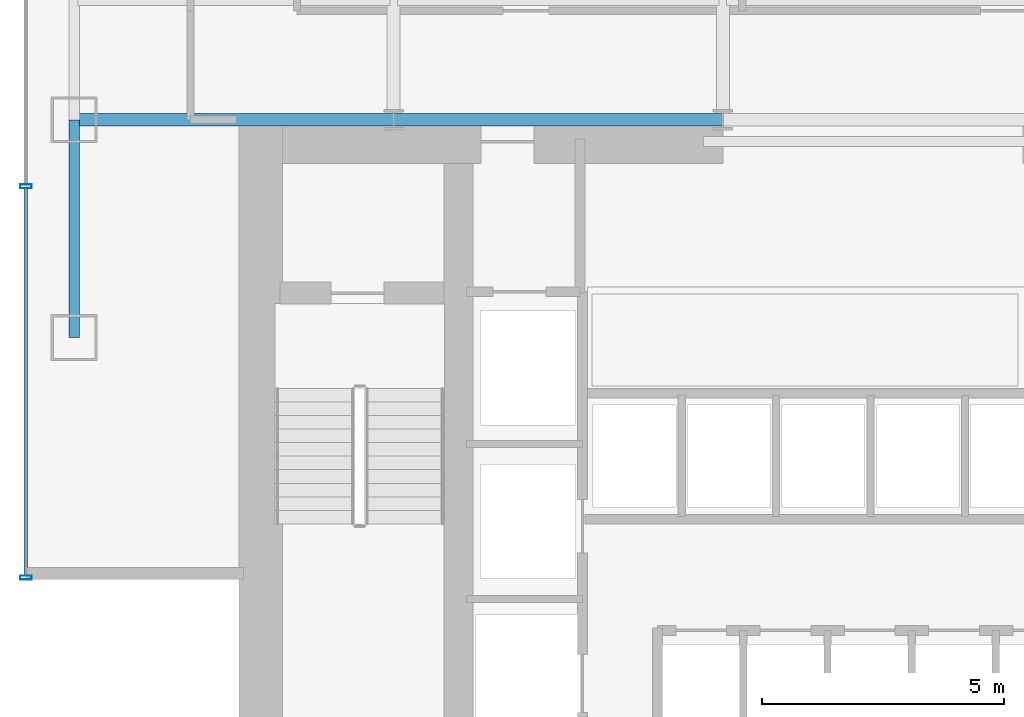
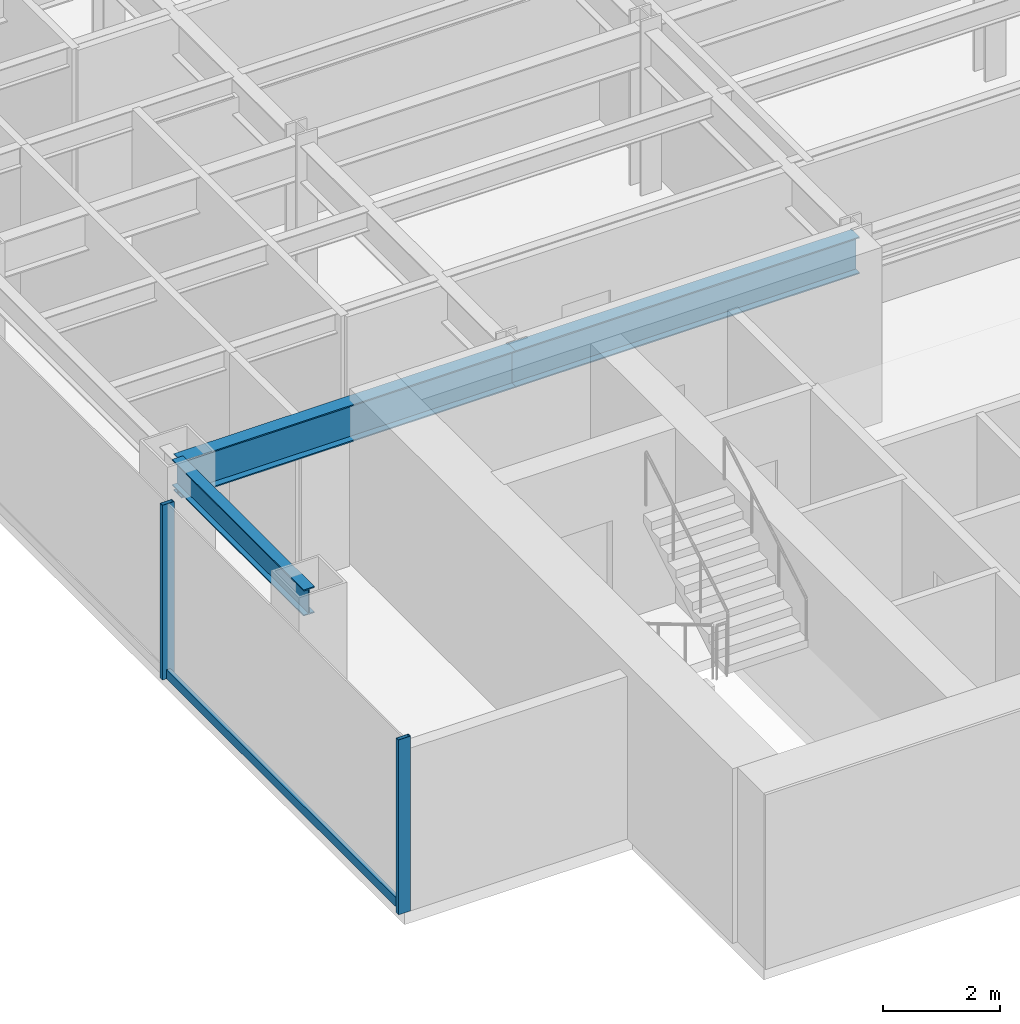
# One storey, part 2 of 22: 3 beams, 3 members, 1 element without a shape of its own.
"""IFC4 building model written with IfcOpenShell, lengths in metres."""

from ifc_helpers import new_model, si_unit, derived_unit, direction, frame, origin, origin_2d, place, context, subcontext, project, spatial, hollow_rectangle, i_section, extrude, source, transform, mapped, material, material_profile, profile_set, type_object, element, aggregate, save


model = new_model("IFC4")

# Units and contexts
model_context = context("Model", 3, precision=1e-05, world=origin(), true_north=direction((0.0, 1.0)))
body_context = subcontext(model_context, "Body", "Model", "MODEL_VIEW")
ifc_project = project(units=[si_unit("LENGTHUNIT", "METRE"), si_unit("AREAUNIT", "SQUARE_METRE"), si_unit("VOLUMEUNIT", "CUBIC_METRE"), si_unit("PLANEANGLEUNIT", "RADIAN"), si_unit("MASSUNIT", "GRAM", prefix="KILO"), derived_unit("THERMALTRANSMITTANCEUNIT", [(si_unit("POWERUNIT", "WATT"), 1), (si_unit("LENGTHUNIT", "METRE"), -2), (si_unit("THERMODYNAMICTEMPERATUREUNIT", "KELVIN"), -1)])], contexts=[model_context])

# Site, building, storey
site_placement = place(None, origin())
site = spatial("IfcSite", under=ifc_project, at=site_placement, CompositionType="ELEMENT")
building_placement = place(site_placement, origin())
building = spatial("IfcBuilding", under=site, at=building_placement, Name="Skarnbrae Concourse Arena and Tower", CompositionType="ELEMENT")
storey_placement = place(building_placement, frame((0.0, 0.0, 32.5)))
storey = spatial("IfcBuildingStorey", under=building, at=storey_placement, Name="L06", CompositionType="ELEMENT", Elevation=32.5)

# Beams
ifc_material_1 = material(Name="Steel CSA G40.21 350W", Category="steel")
ifc_material_profile_1 = material_profile(ifc_material_1, i_section(OverallWidth=0.26806640625, OverallDepth=0.77001953125, WebThickness=0.015625, FlangeThickness=0.025390625, at=origin_2d()), Name="W760X196")
ifc_profile_set_1 = profile_set([ifc_material_profile_1], Name="Steel CSA G40.21 350W")
beam_type_1 = type_object("IfcBeamType", Name="BM-GIRD-W760X196", PredefinedType="BEAM", material=ifc_profile_set_1)
shared_shape_1 = source(origin(), body_context, "Body", "SweptSolid", [
    extrude(i_section(OverallWidth=0.26806640625, OverallDepth=0.77001953125, WebThickness=0.015625, FlangeThickness=0.025390625, at=origin_2d()), origin(), (0.0, 0.0, 1.0), 6.60009765625),
])
beam_1_placement = place(storey_placement, frame((1.0, 14.0, 3.014892578125), z_axis=(1.0, 0.0, 0.0), x_axis=(0.0, 1.0, 0.0)))
element("IfcBeam", 1, at=beam_1_placement, inside=storey, type_object=beam_type_1, Name="L06 Primary E-W girder Y14.0-1", PredefinedType="BEAM", context=body_context, shape_type="MappedRepresentation", body=[
    mapped(shared_shape_1, transform((0.0, 0.0, 0.0))),
])
shared_shape_2 = source(origin(), body_context, "Body", "SweptSolid", [
    extrude(i_section(OverallWidth=0.26806640625, OverallDepth=0.77001953125, WebThickness=0.015625, FlangeThickness=0.025390625, at=origin_2d()), origin(), (0.0, 0.0, 1.0), 6.7998046875),
])
beam_2_placement = place(storey_placement, frame((7.60009765625, 14.0, 3.014892578125), z_axis=(1.0, 0.0, 0.0), x_axis=(0.0, 1.0, 0.0)))
element("IfcBeam", 2, at=beam_2_placement, inside=storey, type_object=beam_type_1, Name="L06 Primary E-W girder Y14.0-2", PredefinedType="BEAM", context=body_context, shape_type="MappedRepresentation", body=[
    mapped(shared_shape_2, transform((0.0, 0.0, 0.0))),
])
ifc_material_profile_2 = material_profile(ifc_material_1, i_section(OverallWidth=0.214111328125, OverallDepth=0.549072265625, WebThickness=0.0146484375, FlangeThickness=0.023681640625, at=origin_2d()), Name="W530X138")
ifc_profile_set_2 = profile_set([ifc_material_profile_2], Name="Steel CSA G40.21 350W")
beam_type_2 = type_object("IfcBeamType", Name="BM-SPAN-W530X138", PredefinedType="SPANDREL", material=ifc_profile_set_2)
shared_shape_3 = source(origin(), body_context, "Body", "SweptSolid", [
    extrude(i_section(OverallWidth=0.214111328125, OverallDepth=0.549072265625, WebThickness=0.0146484375, FlangeThickness=0.023681640625, at=origin_2d()), origin(), (0.0, 0.0, 1.0), 4.5),
])
beam_3_placement = place(storey_placement, frame((1.0, 9.5, 3.12548828125), z_axis=(0.0, 1.0, 0.0), x_axis=(-1.0, 0.0, 0.0)))
element("IfcBeam", 3, at=beam_3_placement, inside=storey, type_object=beam_type_2, Name="L06 Perimeter spandrel X1.0-1", PredefinedType="SPANDREL", context=body_context, shape_type="MappedRepresentation", body=[
    mapped(shared_shape_3, transform((0.0, 0.0, 0.0))),
])

# Curtain wall, members
ifc_material_2 = material(Name="Bronze anodised aluminium 6063-T6", Category="aluminium")
curtain_wall_type = type_object("IfcCurtainWallType", Name="CW-SYS-02-LOWZONE", PredefinedType="USERDEFINED", material=ifc_material_2)
curtain_wall_placement = place(storey_placement, origin())
curtain_wall = element("IfcCurtainWall", 4, at=curtain_wall_placement, inside=storey, type_object=curtain_wall_type, Name="L06 Unitised curtain wall CW-L06-E19", ObjectType="UNITISED CURTAIN WALL", PredefinedType="USERDEFINED")
ifc_material_profile_3 = material_profile(ifc_material_2, hollow_rectangle(XDim=0.080078125, YDim=0.239990234375, WallThickness=0.0048828125, at=origin_2d()), Name="ALU-MULL-80X240")
ifc_profile_set_3 = profile_set([ifc_material_profile_3], Name="Bronze anodised aluminium 6063-T6")
member_type_1 = type_object("IfcMemberType", Name="CWM-CW-02", PredefinedType="MULLION", material=ifc_profile_set_3)
shared_shape_4 = source(origin(), body_context, "Body", "SweptSolid", [
    extrude(hollow_rectangle(XDim=0.080078125, YDim=0.239990234375, WallThickness=0.0048828125, at=origin_2d()), origin(), (0.0, 0.0, 1.0), 3.64990234375),
])
member_1_placement = place(storey_placement, frame((0.0, 12.625, 0.0), z_axis=(0.0, 0.0, 1.0), x_axis=(0.0, -1.0, 0.0)))
member_1 = element("IfcMember", 5, at=member_1_placement, type_object=member_type_1, Name="CW-L06-E19 Mullion 4", PredefinedType="MULLION", context=body_context, shape_type="MappedRepresentation", body=[
    mapped(shared_shape_4, transform((0.0, 0.0, 0.0))),
])
member_2_placement = place(storey_placement, frame((0.0, 4.5400390625, 0.0), z_axis=(0.0, 0.0, 1.0), x_axis=(0.0, -1.0, 0.0)))
member_2 = element("IfcMember", 6, at=member_2_placement, type_object=member_type_1, Name="CW-L06-E19 Mullion 5", PredefinedType="MULLION", context=body_context, shape_type="MappedRepresentation", body=[
    mapped(shared_shape_4, transform((0.0, 0.0, 0.0))),
])
ifc_material_profile_4 = material_profile(ifc_material_2, hollow_rectangle(XDim=0.080078125, YDim=0.18994140625, WallThickness=0.0048828125, at=origin_2d()), Name="ALU-TRAN-80X190")
ifc_profile_set_4 = profile_set([ifc_material_profile_4], Name="Bronze anodised aluminium 6063-T6")
member_type_2 = type_object("IfcMemberType", Name="CWT-CW-02", PredefinedType="USERDEFINED", material=ifc_profile_set_4)
shared_shape_5 = source(origin(), body_context, "Body", "SweptSolid", [
    extrude(hollow_rectangle(XDim=0.080078125, YDim=0.18994140625, WallThickness=0.0048828125, at=origin_2d()), origin(), (0.0, 0.0, 1.0), 8.0048828125),
])
member_3_placement = place(storey_placement, frame((0.0, 12.5849609375, 0.094970703125), z_axis=(0.0, -1.0, 0.0), x_axis=(1.0, 0.0, 0.0)))
member_3 = element("IfcMember", 7, at=member_3_placement, type_object=member_type_2, Name="CW-L06-E19 Transom 4", ObjectType="TRANSOM", PredefinedType="USERDEFINED", context=body_context, shape_type="MappedRepresentation", body=[
    mapped(shared_shape_5, transform((0.0, 0.0, 0.0))),
])
aggregate(curtain_wall, [member_1, member_2, member_3])

save(model, "model.ifc")
